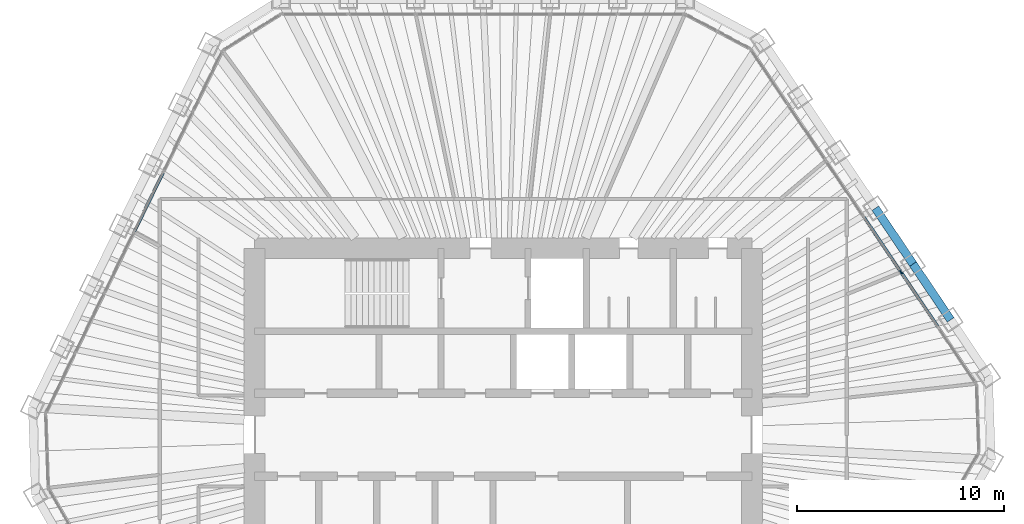
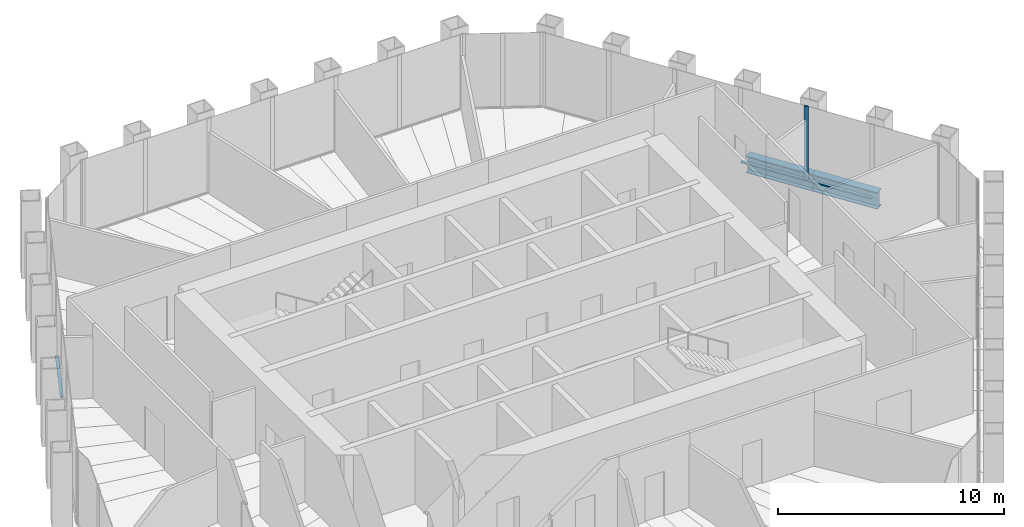
# One storey, part 6 of 14: 4 members, 2 beams, 2 elements without a shape of their own.
"""IFC4 building model written with IfcOpenShell, lengths in metres."""

import ifcopenshell
import ifcopenshell.guid

model = None  # the IFC model being written
_history = None  # IfcOwnerHistory: only IFC2X3 demands one
_inside = {}  # id of a spatial element -> (the spatial element, [elements in it])
_under = {}  # id of a project, library or spatial element -> (it, [spatial elements below it])
_declared = {}  # id of a project -> (the project, [libraries it declares])
_typed = {}  # id of a type object -> (the type object, [elements of that type])
_made_of = {}  # id of a material, layer set ... -> (it, [elements and type objects made of it])


def new_model(schema):
    """Start an empty IFC model of exactly this schema.

    Asked for "IFC4X3", IfcOpenShell would pick the latest addendum, in which some entities
    have other attributes; the version numbers below select the first issue.
    IFC2X3 requires an IfcOwnerHistory on every rooted entity: one is made here for all.
    """
    global model, _history
    if schema == "IFC4X3":
        model = ifcopenshell.file(schema_version=(4, 3, 0, 0))
    else:
        model = ifcopenshell.file(schema=schema)
    _inside.clear()
    _under.clear()
    _declared.clear()
    _typed.clear()
    _made_of.clear()
    _history = None
    if model.schema == "IFC2X3":
        org = make("IfcOrganization", Name="unknown")
        user = make(
            "IfcPersonAndOrganization",
            ThePerson=make("IfcPerson", FamilyName="unknown"),
            TheOrganization=org,
        )
        app = make(
            "IfcApplication",
            ApplicationDeveloper=org,
            Version="unknown",
            ApplicationFullName="unknown",
            ApplicationIdentifier="unknown",
        )
        _history = make(
            "IfcOwnerHistory",
            OwningUser=user,
            OwningApplication=app,
            ChangeAction="ADDED",
            CreationDate=0,
        )
    return model


def make(cls, **values):
    """One entity of the class cls with the attributes given. An attribute that is None is left unset."""
    return model.create_entity(
        cls, **{name: value for name, value in values.items() if value is not None}
    )


def rooted(cls, **values):
    """An entity with a GlobalId (a new one), such as an element, a storey or a relation."""
    return make(cls, GlobalId=ifcopenshell.guid.new(), OwnerHistory=_history, **values)


def si_unit(unit_type, name, prefix=None):
    """IfcSIUnit, for example si_unit("LENGTHUNIT", "METRE", prefix="MILLI")."""
    return make("IfcSIUnit", UnitType=unit_type, Prefix=prefix, Name=name)


def assignment(units):
    """IfcUnitAssignment: the units of a project."""
    return None if units is None else make("IfcUnitAssignment", Units=units)


def point(xyz):
    """IfcCartesianPoint."""
    return None if xyz is None else make("IfcCartesianPoint", Coordinates=xyz)


def direction(xyz):
    """IfcDirection."""
    return None if xyz is None else make("IfcDirection", DirectionRatios=xyz)


def frame(location, z_axis=None, x_axis=None):
    """IfcAxis2Placement3D, a coordinate frame: its origin and axes. An axis left out is left unset."""
    return make(
        "IfcAxis2Placement3D",
        Location=point(location),
        Axis=direction(z_axis),
        RefDirection=direction(x_axis),
    )


def frame_2d(location, x_axis=None):
    """IfcAxis2Placement2D, a coordinate frame in the plane: its origin and x axis."""
    return make(
        "IfcAxis2Placement2D", Location=point(location), RefDirection=direction(x_axis)
    )


def origin():
    """The frame at (0, 0, 0) with its axes left unset."""
    return frame((0.0, 0.0, 0.0))


def origin_2d():
    """The frame at (0, 0) in the plane with its x axis left unset."""
    return frame_2d((0.0, 0.0))


def place(relative_to, where):
    """IfcLocalPlacement: puts the frame where relative to a parent placement (None: the world)."""
    return make(
        "IfcLocalPlacement", PlacementRelTo=relative_to, RelativePlacement=where
    )


def context(
    kind, dimensions, precision=None, world=None, true_north=None, identifier=None
):
    """IfcGeometricRepresentationContext, for example the 3D "Model" context."""
    return make(
        "IfcGeometricRepresentationContext",
        ContextIdentifier=identifier,
        ContextType=kind,
        CoordinateSpaceDimension=dimensions,
        Precision=precision,
        WorldCoordinateSystem=world,
        TrueNorth=true_north,
    )


def subcontext(parent, identifier, kind, view, scale=None):
    """IfcGeometricRepresentationSubContext, for example "Body" below "Model"."""
    return make(
        "IfcGeometricRepresentationSubContext",
        ContextIdentifier=identifier,
        ContextType=kind,
        ParentContext=parent,
        TargetScale=scale,
        TargetView=view,
    )


def project(units=None, contexts=None):
    """IfcProject with its units and contexts."""
    return rooted(
        "IfcProject",
        Name="project",
        RepresentationContexts=contexts,
        UnitsInContext=assignment(units),
    )


def spatial(cls, under=None, at=None, **own):
    """A site, building, storey or space (cls), placed at a placement, below another one or the project."""
    s = rooted(cls, ObjectPlacement=at, **own)
    if under is not None:
        _under.setdefault(under.id(), (under, []))[1].append(s)
    return s


def profile(cls, at=None, kind="AREA", **sizes):
    """A parametric profile (cls). Its sizes go by their IFC names, for example OverallWidth=200.0."""
    return make(cls, ProfileType=kind, Position=at, **sizes)


def rectangle(**sizes):
    """IfcRectangleProfileDef."""
    return profile("IfcRectangleProfileDef", **sizes)


def i_section(**sizes):
    """IfcIShapeProfileDef."""
    return profile("IfcIShapeProfileDef", **sizes)


def extrude(swept, where, along, depth):
    """IfcExtrudedAreaSolid: the profile swept, set in the frame where, extruded along a direction by depth."""
    return make(
        "IfcExtrudedAreaSolid",
        SweptArea=swept,
        Position=where,
        ExtrudedDirection=direction(along),
        Depth=depth,
    )


def shape(context_of_items, identifier, shape_type, items):
    """IfcShapeRepresentation: the items that make up one representation, for example the "Body"."""
    return make(
        "IfcShapeRepresentation",
        ContextOfItems=context_of_items,
        RepresentationIdentifier=identifier,
        RepresentationType=shape_type,
        Items=items,
    )


def material(Name=None, Category=None):
    """IfcMaterial."""
    return make("IfcMaterial", Name=Name, Category=Category)


def material_profile(
    of_material, cross_section, Name=None, Category=None, Priority=None
):
    """IfcMaterialProfile: a cross section and its material."""
    return make(
        "IfcMaterialProfile",
        Name=Name,
        Material=of_material,
        Profile=cross_section,
        Priority=Priority,
        Category=Category,
    )


def profile_set(profiles, Name=None, composite=None):
    """IfcMaterialProfileSet."""
    return make(
        "IfcMaterialProfileSet",
        Name=Name,
        MaterialProfiles=profiles,
        CompositeProfile=composite,
    )


def made_of(thing, what):
    """Note that an element or type object is made of a material, layer set ...; save() writes the relation."""
    if what is not None:
        _made_of.setdefault(what.id(), (what, []))[1].append(thing)
    return thing


def type_object(cls, material=None, **own):
    """A type object (cls), such as IfcWallType, which elements share."""
    return made_of(rooted(cls, **own), material)


def element(
    cls,
    number,
    at=None,
    inside=None,
    cuts=None,
    type_object=None,
    material=None,
    context=None,
    identifier="Body",
    shape_type=None,
    held_by="IfcProductDefinitionShape",
    body=None,
    shapes=None,
    **own,
):
    """One element of the class cls, such as IfcWall. Its Tag is "e" and its number.

    at: its placement. inside: the storey or other place that contains it. cuts: it is an
    opening in that element (IfcRelVoidsElement). A single representation is given by context,
    identifier, shape_type and body (its items); several are given by shapes. held_by: the class
    of the entity that holds the representations. save() writes the other relations.
    """
    e = rooted(cls, Tag="e%d" % number, ObjectPlacement=at, **own)
    if body is not None:
        shapes = [shape(context, identifier, shape_type, body)]
    if shapes is not None:
        e.Representation = make(held_by, Representations=shapes)
    if inside is not None:
        _inside.setdefault(inside.id(), (inside, []))[1].append(e)
    if cuts is not None:
        rooted(
            "IfcRelVoidsElement", RelatingBuildingElement=cuts, RelatedOpeningElement=e
        )
    if type_object is not None:
        _typed.setdefault(type_object.id(), (type_object, []))[1].append(e)
    return made_of(e, material)


def aggregate(whole, parts):
    """IfcRelAggregates: a whole, such as a stair, and the parts it consists of."""
    return rooted("IfcRelAggregates", RelatingObject=whole, RelatedObjects=parts)


def save(model, path):
    """Write the relations noted so far, then the file.

    IfcRelAggregates (storeys below a building ...), IfcRelContainedInSpatialStructure (elements
    in a storey), IfcRelDefinesByType, IfcRelAssociatesMaterial and IfcRelDeclares: one each for
    every whole, place, type object, material and project.
    """
    for whole, parts in _under.values():
        aggregate(whole, parts)
    for where, things in _inside.values():
        rooted(
            "IfcRelContainedInSpatialStructure",
            RelatedElements=things,
            RelatingStructure=where,
        )
    for kind, things in _typed.values():
        rooted("IfcRelDefinesByType", RelatedObjects=things, RelatingType=kind)
    for what, things in _made_of.values():
        rooted("IfcRelAssociatesMaterial", RelatedObjects=things, RelatingMaterial=what)
    for by, libraries in _declared.values():
        rooted("IfcRelDeclares", RelatingContext=by, RelatedDefinitions=libraries)
    model.write(path)


model = new_model("IFC4")

# Units and contexts
model_context = context("Model", 3, precision=1e-05, world=origin(), true_north=direction((0.0, 1.0)))
body_context = subcontext(model_context, "Body", "Model", "MODEL_VIEW")
ifc_project = project(units=[si_unit("LENGTHUNIT", "METRE"), si_unit("AREAUNIT", "SQUARE_METRE"), si_unit("VOLUMEUNIT", "CUBIC_METRE"), si_unit("PLANEANGLEUNIT", "RADIAN"), si_unit("MASSUNIT", "GRAM", prefix="KILO")], contexts=[model_context])

# Site, building, storey
site_placement = place(None, origin())
site = spatial("IfcSite", under=ifc_project, at=site_placement, CompositionType="ELEMENT")
building_placement = place(site_placement, origin())
building = spatial("IfcBuilding", under=site, at=building_placement, Name="Qingtian Harvest Tower", CompositionType="ELEMENT")
storey_placement = place(building_placement, frame((0.0, 0.0, 283.0)))
storey = spatial("IfcBuildingStorey", under=building, at=storey_placement, Name="L62", CompositionType="ELEMENT", Elevation=283.0)

# Curtain wall, member
ifc_material_1 = material(Name="Bronze-anodised aluminium curtain wall", Category="aluminium")
curtain_wall_type = type_object("IfcCurtainWallType", Name="Curtain wall CW5 upper office", PredefinedType="USERDEFINED", material=ifc_material_1)
curtain_wall_1_placement = place(storey_placement, origin())
curtain_wall_1 = element("IfcCurtainWall", 1, at=curtain_wall_1_placement, inside=storey, type_object=curtain_wall_type, Name="Curtain wall CW5 L62 NE0-5", ObjectType="RECESSED CURTAIN WALL", PredefinedType="USERDEFINED")
ifc_material_2 = material(Name="Bronze-anodised aluminium mullion", Category="aluminium")
ifc_material_profile_1 = material_profile(ifc_material_2, rectangle(XDim=0.06494140625, YDim=0.199951171875, at=origin_2d()), Name="AL 65x200")
ifc_profile_set_1 = profile_set([ifc_material_profile_1], Name="Bronze-anodised aluminium mullion")
member_type_1 = type_object("IfcMemberType", Name="Mullion CWM 65x200", PredefinedType="MULLION", material=ifc_profile_set_1)
member_1_placement = place(storey_placement, frame((19.192626953125, 7.847900390625, 0.0), z_axis=(0.0, 0.0, 1.0), x_axis=(0.829037572555, 0.559192903471, 0.0)))
member_1 = element("IfcMember", 2, at=member_1_placement, type_object=member_type_1, Name="CW5 mullion 5", PredefinedType="MULLION", context=body_context, shape_type="SweptSolid", body=[
    extrude(rectangle(XDim=0.06494140625, YDim=0.199951171875, at=origin_2d()), origin(), (0.0, 0.0, 1.0), 4.030029296875),
])

# Beams
ifc_material_3 = material(Name="Steel SN490B", Category="steel")
ifc_material_profile_2 = material_profile(ifc_material_3, i_section(OverallWidth=0.39990234375, OverallDepth=0.89990234375, WebThickness=0.01904296875, FlangeThickness=0.035888671875, at=origin_2d()), Name="H900x400x19x36")
ifc_profile_set_2 = profile_set([ifc_material_profile_2], Name="Steel SN490B")
beam_type = type_object("IfcBeamType", Name="Spandrel beam SB4 H900x400x19x36", PredefinedType="SPANDREL", material=ifc_profile_set_2)
for number, where, z_axis, x_axis, name in (
    (3, (17.956787109375, 10.93212890625, -0.449951171875), (0.55915007887, -0.829066456504, 0.0), (0.829066456504, 0.55915007887, 0.0), "Spandrel SB4 NE3"),
    (4, (19.77294921875, 8.2392578125, -0.449951171875), (0.5592365864, -0.829008106372, 0.0), (0.829008106372, 0.5592365864, 0.0), "Spandrel SB4 NE4"),
):
    element("IfcBeam", number, at=place(storey_placement, frame(where, z_axis=z_axis, x_axis=x_axis)), inside=storey, type_object=beam_type, Name=name, PredefinedType="SPANDREL", context=body_context, shape_type="SweptSolid", body=[
        extrude(i_section(OverallWidth=0.39990234375, OverallDepth=0.89990234375, WebThickness=0.01904296875, FlangeThickness=0.035888671875, at=origin_2d()), origin(), (0.0, 0.0, 1.0), 3.248046875),
    ])

# Member
ifc_material_4 = material(Name="Bronze-anodised aluminium transom", Category="aluminium")
ifc_material_profile_3 = material_profile(ifc_material_4, rectangle(XDim=0.14990234375, YDim=0.06494140625, at=origin_2d()), Name="AL 65x150")
ifc_profile_set_3 = profile_set([ifc_material_profile_3], Name="Bronze-anodised aluminium transom")
member_type_2 = type_object("IfcMemberType", Name="Transom CWT 65x150", PredefinedType="USERDEFINED", material=ifc_profile_set_3)
member_2_placement = place(storey_placement, frame((17.39453125, 10.513671875, 0.032470703125), z_axis=(0.55920542009, -0.829029129852, 0.0), x_axis=(0.829029129852, 0.55920542009, 0.0)))
member_2 = element("IfcMember", 5, at=member_2_placement, type_object=member_type_2, Name="CW5 transom 4.1", ObjectType="TRANSOM", PredefinedType="USERDEFINED", context=body_context, shape_type="SweptSolid", body=[
    extrude(rectangle(XDim=0.14990234375, YDim=0.06494140625, at=origin_2d()), origin(), (0.0, 0.0, 1.0), 3.18310546875),
])

member_3_placement = place(storey_placement, frame((19.2109375, 7.821044921875, 0.032470703125), z_axis=(0.559152702955, -0.829064686727, 0.0), x_axis=(0.829064686727, 0.559152702955, 0.0)))
member_3 = element("IfcMember", 6, at=member_3_placement, type_object=member_type_2, Name="CW5 transom 5.1", ObjectType="TRANSOM", PredefinedType="USERDEFINED", context=body_context, shape_type="SweptSolid", body=[
    extrude(rectangle(XDim=0.14990234375, YDim=0.06494140625, at=origin_2d()), origin(), (0.0, 0.0, 1.0), 3.18310546875),
])

aggregate(curtain_wall_1, [member_1, member_2, member_3])

# Curtain wall, member
curtain_wall_2_placement = place(storey_placement, origin())
curtain_wall_2 = element("IfcCurtainWall", 7, at=curtain_wall_2_placement, inside=storey, type_object=curtain_wall_type, Name="Curtain wall CW5 L62 NW0-5", ObjectType="RECESSED CURTAIN WALL", PredefinedType="USERDEFINED")
member_4_placement = place(storey_placement, frame((-17.802490234375, 9.807373046875, 0.032470703125), z_axis=(0.438355626738, 0.898801615768, 0.0), x_axis=(-0.898801615768, 0.438355626738, 0.0)))
member_4 = element("IfcMember", 8, at=member_4_placement, type_object=member_type_2, Name="CW5 transom 4.1", ObjectType="TRANSOM", PredefinedType="USERDEFINED", context=body_context, shape_type="SweptSolid", body=[
    extrude(rectangle(XDim=0.14990234375, YDim=0.06494140625, at=origin_2d()), origin(), (0.0, 0.0, 1.0), 3.182861328125),
])
aggregate(curtain_wall_2, [member_4])

save(model, "model.ifc")
